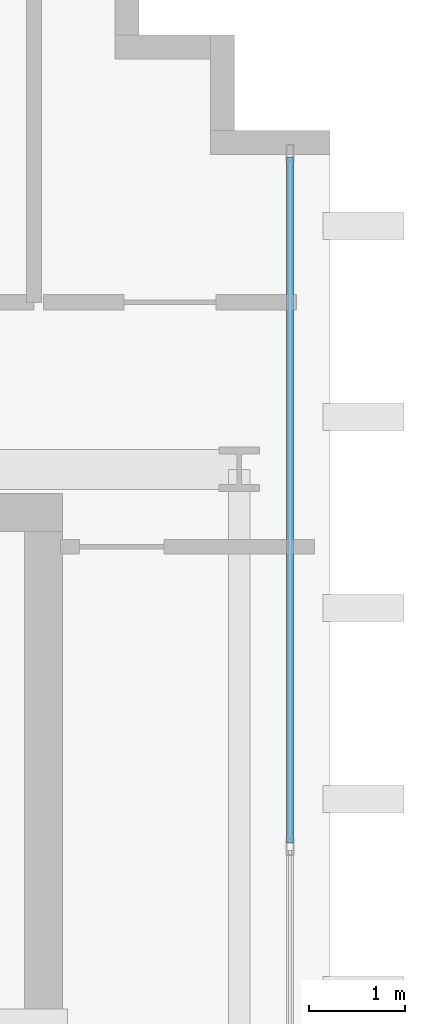
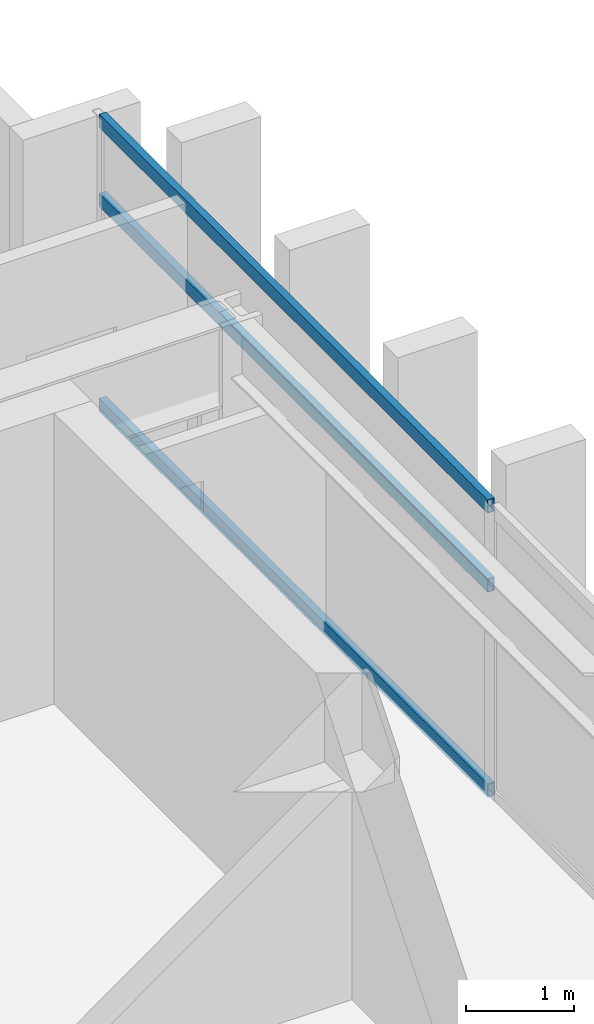
# One storey, part 18 of 28: 3 members, 1 element without a shape of its own.
"""IFC4 building model written with IfcOpenShell, lengths in metres."""

from ifc_helpers import new_model, si_unit, direction, frame, origin, origin_2d, place, context, subcontext, project, spatial, hollow_rectangle, extrude, source, transform, mapped, material, layer, layer_set, material_profile, profile_set, type_object, element, aggregate, save


model = new_model("IFC4")

# Units and contexts
model_context = context("Model", 3, precision=1e-05, world=origin(), true_north=direction((0.0, 1.0)))
body_context = subcontext(model_context, "Body", "Model", "MODEL_VIEW")
ifc_project = project(units=[si_unit("LENGTHUNIT", "METRE"), si_unit("AREAUNIT", "SQUARE_METRE"), si_unit("VOLUMEUNIT", "CUBIC_METRE"), si_unit("PLANEANGLEUNIT", "RADIAN"), si_unit("MASSUNIT", "GRAM", prefix="KILO")], contexts=[model_context])

# Site, building, storey
site_placement = place(None, origin())
site = spatial("IfcSite", under=ifc_project, at=site_placement, CompositionType="ELEMENT")
building_placement = place(site_placement, origin())
building = spatial("IfcBuilding", under=site, at=building_placement, Name="Ocotamira Hotel", CompositionType="ELEMENT")
storey_placement = place(building_placement, frame((0.0, 0.0, 268.800048828125)))
storey = spatial("IfcBuildingStorey", under=building, at=storey_placement, Name="L68", CompositionType="ELEMENT", Elevation=268.800048828125)

# Curtain wall, members
ifc_material_1 = material(Name="Anodised pale-metal aluminium and solar glass", Category="aluminium")
ifc_layer = layer(ifc_material_1, 0.2099609375)
ifc_layer_set = layer_set([ifc_layer], Name="Anodised pale-metal aluminium and solar glass")
curtain_wall_type = type_object("IfcCurtainWallType", Name="CW-SYS7-PEAK", PredefinedType="NOTDEFINED", material=ifc_layer_set)
curtain_wall_placement = place(storey_placement, origin())
curtain_wall = element("IfcCurtainWall", 1, at=curtain_wall_placement, inside=storey, type_object=curtain_wall_type, Name="L68 Curtain Wall CW-7 CW-L68-EO2", PredefinedType="NOTDEFINED")
ifc_material_2 = material(Name="Anodised pale-metal aluminium 6063-T6", Category="aluminium")
ifc_material_profile = material_profile(ifc_material_2, hollow_rectangle(XDim=0.074951171875, YDim=0.14990234375, WallThickness=0.006103515625, at=origin_2d()), Name="HSS150X75X6")
ifc_profile_set = profile_set([ifc_material_profile], Name="Anodised pale-metal aluminium 6063-T6")
member_type = type_object("IfcMemberType", Name="CWT-150X75", PredefinedType="USERDEFINED", material=ifc_profile_set)
shared_shape = source(origin(), body_context, "Body", "SweptSolid", [
    extrude(hollow_rectangle(XDim=0.074951171875, YDim=0.14990234375, WallThickness=0.006103515625, at=origin_2d()), origin(), (0.0, 0.0, 1.0), 7.179931640625),
])
member_1_placement = place(storey_placement, frame((55.580078125, 33.5400390625, 0.037353515625), z_axis=(0.0, 1.0, 0.0), x_axis=(-1.0, 0.0, 0.0)))
member_1 = element("IfcMember", 2, at=member_1_placement, type_object=member_type, Name="CW-7 transom 2.1", ObjectType="TRANSOM", PredefinedType="USERDEFINED", context=body_context, shape_type="MappedRepresentation", body=[
    mapped(shared_shape, transform((0.0, 0.0, 0.0), scale=1.0)),
])
member_2_placement = place(storey_placement, frame((55.580078125, 33.5400390625, 2.349853515625), z_axis=(0.0, 1.0, 0.0), x_axis=(-1.0, 0.0, 0.0)))
member_2 = element("IfcMember", 3, at=member_2_placement, type_object=member_type, Name="CW-7 transom 2.2", ObjectType="TRANSOM", PredefinedType="USERDEFINED", context=body_context, shape_type="MappedRepresentation", body=[
    mapped(shared_shape, transform((0.0, 0.0, 0.0), scale=1.0)),
])
member_3_placement = place(storey_placement, frame((55.580078125, 33.5400390625, 3.242431640625), z_axis=(0.0, 1.0, 0.0), x_axis=(-1.0, 0.0, 0.0)))
member_3 = element("IfcMember", 4, at=member_3_placement, type_object=member_type, Name="CW-7 transom 2.3", ObjectType="TRANSOM", PredefinedType="USERDEFINED", context=body_context, shape_type="MappedRepresentation", body=[
    mapped(shared_shape, transform((0.0, 0.0, 0.0), scale=1.0)),
])
aggregate(curtain_wall, [member_1, member_2, member_3])

save(model, "model.ifc")
